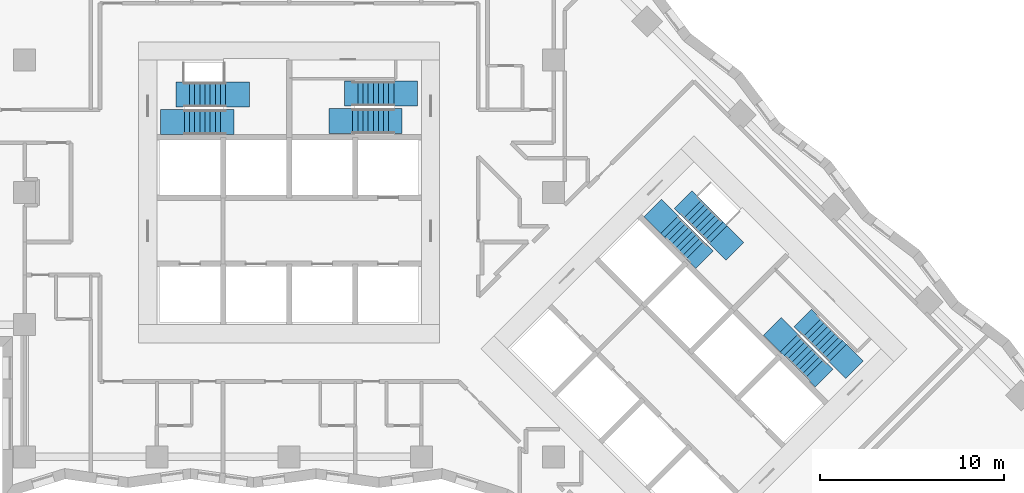
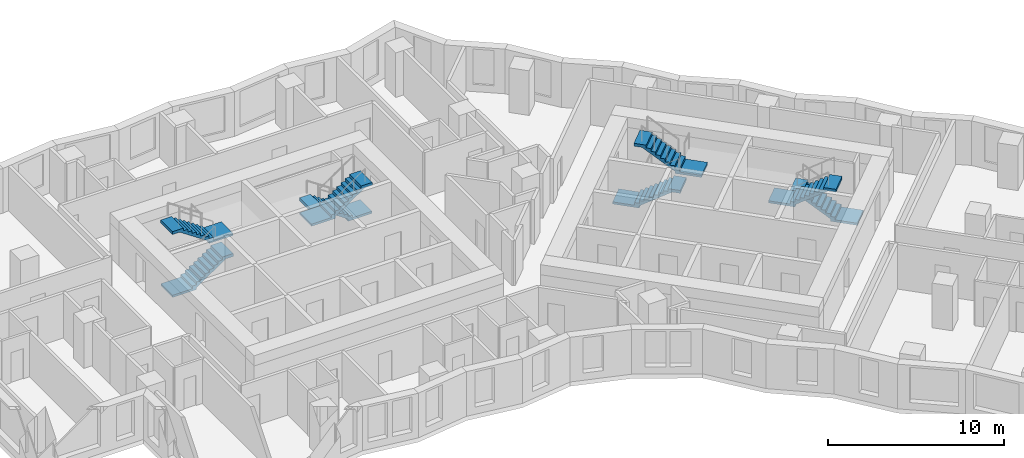
# One storey, part 10 of 12: 8 stair flights, 4 elements without a shape of their own.
"""IFC4 building model written with IfcOpenShell, lengths in metres."""

import ifcopenshell
import ifcopenshell.guid

model = None  # the IFC model being written
_history = None  # IfcOwnerHistory: only IFC2X3 demands one
_inside = {}  # id of a spatial element -> (the spatial element, [elements in it])
_under = {}  # id of a project, library or spatial element -> (it, [spatial elements below it])
_declared = {}  # id of a project -> (the project, [libraries it declares])
_typed = {}  # id of a type object -> (the type object, [elements of that type])
_made_of = {}  # id of a material, layer set ... -> (it, [elements and type objects made of it])


def new_model(schema):
    """Start an empty IFC model of exactly this schema.

    Asked for "IFC4X3", IfcOpenShell would pick the latest addendum, in which some entities
    have other attributes; the version numbers below select the first issue.
    IFC2X3 requires an IfcOwnerHistory on every rooted entity: one is made here for all.
    """
    global model, _history
    if schema == "IFC4X3":
        model = ifcopenshell.file(schema_version=(4, 3, 0, 0))
    else:
        model = ifcopenshell.file(schema=schema)
    _inside.clear()
    _under.clear()
    _declared.clear()
    _typed.clear()
    _made_of.clear()
    _history = None
    if model.schema == "IFC2X3":
        org = make("IfcOrganization", Name="unknown")
        user = make(
            "IfcPersonAndOrganization",
            ThePerson=make("IfcPerson", FamilyName="unknown"),
            TheOrganization=org,
        )
        app = make(
            "IfcApplication",
            ApplicationDeveloper=org,
            Version="unknown",
            ApplicationFullName="unknown",
            ApplicationIdentifier="unknown",
        )
        _history = make(
            "IfcOwnerHistory",
            OwningUser=user,
            OwningApplication=app,
            ChangeAction="ADDED",
            CreationDate=0,
        )
    return model


def make(cls, **values):
    """One entity of the class cls with the attributes given. An attribute that is None is left unset."""
    return model.create_entity(
        cls, **{name: value for name, value in values.items() if value is not None}
    )


def rooted(cls, **values):
    """An entity with a GlobalId (a new one), such as an element, a storey or a relation."""
    return make(cls, GlobalId=ifcopenshell.guid.new(), OwnerHistory=_history, **values)


def si_unit(unit_type, name, prefix=None):
    """IfcSIUnit, for example si_unit("LENGTHUNIT", "METRE", prefix="MILLI")."""
    return make("IfcSIUnit", UnitType=unit_type, Prefix=prefix, Name=name)


def assignment(units):
    """IfcUnitAssignment: the units of a project."""
    return None if units is None else make("IfcUnitAssignment", Units=units)


def point(xyz):
    """IfcCartesianPoint."""
    return None if xyz is None else make("IfcCartesianPoint", Coordinates=xyz)


def direction(xyz):
    """IfcDirection."""
    return None if xyz is None else make("IfcDirection", DirectionRatios=xyz)


def frame(location, z_axis=None, x_axis=None):
    """IfcAxis2Placement3D, a coordinate frame: its origin and axes. An axis left out is left unset."""
    return make(
        "IfcAxis2Placement3D",
        Location=point(location),
        Axis=direction(z_axis),
        RefDirection=direction(x_axis),
    )


def origin():
    """The frame at (0, 0, 0) with its axes left unset."""
    return frame((0.0, 0.0, 0.0))


def place(relative_to, where):
    """IfcLocalPlacement: puts the frame where relative to a parent placement (None: the world)."""
    return make(
        "IfcLocalPlacement", PlacementRelTo=relative_to, RelativePlacement=where
    )


def context(
    kind, dimensions, precision=None, world=None, true_north=None, identifier=None
):
    """IfcGeometricRepresentationContext, for example the 3D "Model" context."""
    return make(
        "IfcGeometricRepresentationContext",
        ContextIdentifier=identifier,
        ContextType=kind,
        CoordinateSpaceDimension=dimensions,
        Precision=precision,
        WorldCoordinateSystem=world,
        TrueNorth=true_north,
    )


def subcontext(parent, identifier, kind, view, scale=None):
    """IfcGeometricRepresentationSubContext, for example "Body" below "Model"."""
    return make(
        "IfcGeometricRepresentationSubContext",
        ContextIdentifier=identifier,
        ContextType=kind,
        ParentContext=parent,
        TargetScale=scale,
        TargetView=view,
    )


def project(units=None, contexts=None):
    """IfcProject with its units and contexts."""
    return rooted(
        "IfcProject",
        Name="project",
        RepresentationContexts=contexts,
        UnitsInContext=assignment(units),
    )


def spatial(cls, under=None, at=None, **own):
    """A site, building, storey or space (cls), placed at a placement, below another one or the project."""
    s = rooted(cls, ObjectPlacement=at, **own)
    if under is not None:
        _under.setdefault(under.id(), (under, []))[1].append(s)
    return s


def polyline(points):
    """IfcPolyline through the points."""
    return make("IfcPolyline", Points=[point(p) for p in points])


def outline(outer, holes=None, kind="AREA"):
    """IfcArbitraryClosedProfileDef: a profile drawn as a closed curve; with holes, ...WithVoids."""
    if holes is None:
        return make("IfcArbitraryClosedProfileDef", ProfileType=kind, OuterCurve=outer)
    return make(
        "IfcArbitraryProfileDefWithVoids",
        ProfileType=kind,
        OuterCurve=outer,
        InnerCurves=holes,
    )


def extrude(swept, where, along, depth):
    """IfcExtrudedAreaSolid: the profile swept, set in the frame where, extruded along a direction by depth."""
    return make(
        "IfcExtrudedAreaSolid",
        SweptArea=swept,
        Position=where,
        ExtrudedDirection=direction(along),
        Depth=depth,
    )


def shape(context_of_items, identifier, shape_type, items):
    """IfcShapeRepresentation: the items that make up one representation, for example the "Body"."""
    return make(
        "IfcShapeRepresentation",
        ContextOfItems=context_of_items,
        RepresentationIdentifier=identifier,
        RepresentationType=shape_type,
        Items=items,
    )


def material(Name=None, Category=None):
    """IfcMaterial."""
    return make("IfcMaterial", Name=Name, Category=Category)


def made_of(thing, what):
    """Note that an element or type object is made of a material, layer set ...; save() writes the relation."""
    if what is not None:
        _made_of.setdefault(what.id(), (what, []))[1].append(thing)
    return thing


def type_object(cls, material=None, **own):
    """A type object (cls), such as IfcWallType, which elements share."""
    return made_of(rooted(cls, **own), material)


def element(
    cls,
    number,
    at=None,
    inside=None,
    cuts=None,
    type_object=None,
    material=None,
    context=None,
    identifier="Body",
    shape_type=None,
    held_by="IfcProductDefinitionShape",
    body=None,
    shapes=None,
    **own,
):
    """One element of the class cls, such as IfcWall. Its Tag is "e" and its number.

    at: its placement. inside: the storey or other place that contains it. cuts: it is an
    opening in that element (IfcRelVoidsElement). A single representation is given by context,
    identifier, shape_type and body (its items); several are given by shapes. held_by: the class
    of the entity that holds the representations. save() writes the other relations.
    """
    e = rooted(cls, Tag="e%d" % number, ObjectPlacement=at, **own)
    if body is not None:
        shapes = [shape(context, identifier, shape_type, body)]
    if shapes is not None:
        e.Representation = make(held_by, Representations=shapes)
    if inside is not None:
        _inside.setdefault(inside.id(), (inside, []))[1].append(e)
    if cuts is not None:
        rooted(
            "IfcRelVoidsElement", RelatingBuildingElement=cuts, RelatedOpeningElement=e
        )
    if type_object is not None:
        _typed.setdefault(type_object.id(), (type_object, []))[1].append(e)
    return made_of(e, material)


def aggregate(whole, parts):
    """IfcRelAggregates: a whole, such as a stair, and the parts it consists of."""
    return rooted("IfcRelAggregates", RelatingObject=whole, RelatedObjects=parts)


def save(model, path):
    """Write the relations noted so far, then the file.

    IfcRelAggregates (storeys below a building ...), IfcRelContainedInSpatialStructure (elements
    in a storey), IfcRelDefinesByType, IfcRelAssociatesMaterial and IfcRelDeclares: one each for
    every whole, place, type object, material and project.
    """
    for whole, parts in _under.values():
        aggregate(whole, parts)
    for where, things in _inside.values():
        rooted(
            "IfcRelContainedInSpatialStructure",
            RelatedElements=things,
            RelatingStructure=where,
        )
    for kind, things in _typed.values():
        rooted("IfcRelDefinesByType", RelatedObjects=things, RelatingType=kind)
    for what, things in _made_of.values():
        rooted("IfcRelAssociatesMaterial", RelatedObjects=things, RelatingMaterial=what)
    for by, libraries in _declared.values():
        rooted("IfcRelDeclares", RelatingContext=by, RelatedDefinitions=libraries)
    model.write(path)


model = new_model("IFC4")

# Units and contexts
model_context = context("Model", 3, precision=1e-05, world=origin(), true_north=direction((0.0, 1.0)))
body_context = subcontext(model_context, "Body", "Model", "MODEL_VIEW")
ifc_project = project(units=[si_unit("LENGTHUNIT", "METRE"), si_unit("AREAUNIT", "SQUARE_METRE"), si_unit("VOLUMEUNIT", "CUBIC_METRE"), si_unit("PLANEANGLEUNIT", "RADIAN"), si_unit("MASSUNIT", "GRAM", prefix="KILO")], contexts=[model_context])

# Site, building, storey
site_placement = place(None, origin())
site = spatial("IfcSite", under=ifc_project, at=site_placement, CompositionType="ELEMENT")
building_placement = place(site_placement, origin())
building = spatial("IfcBuilding", under=site, at=building_placement, Name="Windrow Commons", CompositionType="ELEMENT")
storey_placement = place(building_placement, frame((0.0, 0.0, 47.4)))
storey = spatial("IfcBuildingStorey", under=building, at=storey_placement, Name="L12", CompositionType="ELEMENT", Elevation=47.4)

# Stair, stair flights
ifc_material_1 = material(Name="Concrete C40/50", Category="concrete")
stair_type = type_object("IfcStairType", Name="Core stair", PredefinedType="HALF_TURN_STAIR", material=ifc_material_1)
placement = place(storey_placement, origin())
stair_1 = element("IfcStair", 1, at=placement, inside=storey, type_object=stair_type, Name="L12 Exit stair A1 core A", PredefinedType="HALF_TURN_STAIR")
ifc_material_2 = material(Name="Concrete C40/50", Category="concrete")
stair_flight_type = type_object("IfcStairFlightType", Name="Core stair flight", PredefinedType="STRAIGHT", material=ifc_material_2)
stair_flight_1_placement = place(storey_placement, frame((59.1, 61.425, 0.0), z_axis=(0.0, 0.0, 1.0), x_axis=(1.0, 0.0, 0.0)))
stair_flight_1 = element("IfcStairFlight", 2, at=stair_flight_1_placement, type_object=stair_flight_type, Name="ST-A1 flight 1", NumberOfRisers=9, NumberOfTreads=8, PredefinedType="STRAIGHT", RiserHeight=0.188888889, TreadLength=0.28, context=body_context, shape_type="SweptSolid", body=[
    extrude(outline(polyline([(-1.3, -0.15), (-1.3, 0.0), (0.0, 0.0), (0.0, 0.1889), (0.28, 0.1889), (0.28, 0.3778), (0.56, 0.3778), (0.56, 0.5667), (0.84, 0.5667), (0.84, 0.7556), (1.12, 0.7556), (1.12, 0.9444), (1.4, 0.9444), (1.4, 1.1333), (1.68, 1.1333), (1.68, 1.3222), (1.96, 1.3222), (1.96, 1.5111), (2.24, 1.5111), (2.69, 1.5111), (2.69, 1.3111), (2.24, 1.3111), (2.24, 1.3302), (0.2682, 0.0), (0.2682, -0.15), (-1.3, -0.15)])), frame((0.0, 0.675, 0.0), z_axis=(0.0, -1.0, 0.0), x_axis=(1.0, 0.0, 0.0)), (0.0, 0.0, 1.0), 1.35),
])
stair_flight_2_placement = place(storey_placement, frame((61.34, 62.925, 1.7), z_axis=(0.0, 0.0, 1.0), x_axis=(-1.0, 0.0, 0.0)))
stair_flight_2 = element("IfcStairFlight", 3, at=stair_flight_2_placement, type_object=stair_flight_type, Name="ST-A1 flight 2", NumberOfRisers=9, NumberOfTreads=8, PredefinedType="STRAIGHT", RiserHeight=0.188888889, TreadLength=0.28, context=body_context, shape_type="SweptSolid", body=[
    extrude(outline(polyline([(-1.3, -0.15), (-1.3, 0.0), (0.0, 0.0), (0.0, 0.1889), (0.28, 0.1889), (0.28, 0.3778), (0.56, 0.3778), (0.56, 0.5667), (0.84, 0.5667), (0.84, 0.7556), (1.12, 0.7556), (1.12, 0.9444), (1.4, 0.9444), (1.4, 1.1333), (1.68, 1.1333), (1.68, 1.3222), (1.96, 1.3222), (1.96, 1.5111), (2.24, 1.5111), (2.69, 1.5111), (2.69, 1.3111), (2.24, 1.3111), (2.24, 1.3302), (0.2682, 0.0), (0.2682, -0.15), (-1.3, -0.15)])), frame((0.0, 0.675, 0.0), z_axis=(0.0, -1.0, 0.0), x_axis=(1.0, 0.0, 0.0)), (0.0, 0.0, 1.0), 1.35),
])
aggregate(stair_1, [stair_flight_1, stair_flight_2])

stair_2 = element("IfcStair", 4, at=placement, inside=storey, type_object=stair_type, Name="L12 Exit stair A2 core A", PredefinedType="HALF_TURN_STAIR")
stair_flight_3_placement = place(storey_placement, frame((70.5, 62.98, 0.0), z_axis=(0.0, 0.0, 1.0), x_axis=(-1.0, 0.0, 0.0)))
stair_flight_3 = element("IfcStairFlight", 5, at=stair_flight_3_placement, type_object=stair_flight_type, Name="ST-A2 flight 1", NumberOfRisers=9, NumberOfTreads=8, PredefinedType="STRAIGHT", RiserHeight=0.188888889, TreadLength=0.28, context=body_context, shape_type="SweptSolid", body=[
    extrude(outline(polyline([(-1.3, -0.15), (-1.3, 0.0), (0.0, 0.0), (0.0, 0.1889), (0.28, 0.1889), (0.28, 0.3778), (0.56, 0.3778), (0.56, 0.5667), (0.84, 0.5667), (0.84, 0.7556), (1.12, 0.7556), (1.12, 0.9444), (1.4, 0.9444), (1.4, 1.1333), (1.68, 1.1333), (1.68, 1.3222), (1.96, 1.3222), (1.96, 1.5111), (2.24, 1.5111), (2.69, 1.5111), (2.69, 1.3111), (2.24, 1.3111), (2.24, 1.3302), (0.2682, 0.0), (0.2682, -0.15), (-1.3, -0.15)])), frame((0.0, 0.675, 0.0), z_axis=(0.0, -1.0, 0.0), x_axis=(1.0, 0.0, 0.0)), (0.0, 0.0, 1.0), 1.35),
])
stair_flight_4_placement = place(storey_placement, frame((68.26, 61.48, 1.7), z_axis=(0.0, 0.0, 1.0), x_axis=(1.0, 0.0, 0.0)))
stair_flight_4 = element("IfcStairFlight", 6, at=stair_flight_4_placement, type_object=stair_flight_type, Name="ST-A2 flight 2", NumberOfRisers=9, NumberOfTreads=8, PredefinedType="STRAIGHT", RiserHeight=0.188888889, TreadLength=0.28, context=body_context, shape_type="SweptSolid", body=[
    extrude(outline(polyline([(-1.3, -0.15), (-1.3, 0.0), (0.0, 0.0), (0.0, 0.1889), (0.28, 0.1889), (0.28, 0.3778), (0.56, 0.3778), (0.56, 0.5667), (0.84, 0.5667), (0.84, 0.7556), (1.12, 0.7556), (1.12, 0.9444), (1.4, 0.9444), (1.4, 1.1333), (1.68, 1.1333), (1.68, 1.3222), (1.96, 1.3222), (1.96, 1.5111), (2.24, 1.5111), (2.69, 1.5111), (2.69, 1.3111), (2.24, 1.3111), (2.24, 1.3302), (0.2682, 0.0), (0.2682, -0.15), (-1.3, -0.15)])), frame((0.0, 0.675, 0.0), z_axis=(0.0, -1.0, 0.0), x_axis=(1.0, 0.0, 0.0)), (0.0, 0.0, 1.0), 1.35),
])
aggregate(stair_2, [stair_flight_3, stair_flight_4])

stair_3 = element("IfcStair", 7, at=placement, inside=storey, type_object=stair_type, Name="L12 Exit stair B1 core B", PredefinedType="HALF_TURN_STAIR")
stair_flight_5_placement = place(storey_placement, frame((85.5109, 55.8249, 0.0), z_axis=(0.0, 0.0, 1.0), x_axis=(0.7071067812, -0.7071067812, 0.0)))
stair_flight_5 = element("IfcStairFlight", 8, at=stair_flight_5_placement, type_object=stair_flight_type, Name="ST-B1 flight 1", NumberOfRisers=9, NumberOfTreads=8, PredefinedType="STRAIGHT", RiserHeight=0.188888889, TreadLength=0.28, context=body_context, shape_type="SweptSolid", body=[
    extrude(outline(polyline([(-1.3, -0.15), (-1.3, 0.0), (0.0, 0.0), (0.0, 0.1889), (0.28, 0.1889), (0.28, 0.3778), (0.56, 0.3778), (0.56, 0.5667), (0.84, 0.5667), (0.84, 0.7556), (1.12, 0.7556), (1.12, 0.9444), (1.4, 0.9444), (1.4, 1.1333), (1.68, 1.1333), (1.68, 1.3222), (1.96, 1.3222), (1.96, 1.5111), (2.24, 1.5111), (2.69, 1.5111), (2.69, 1.3111), (2.24, 1.3111), (2.24, 1.3302), (0.2682, 0.0), (0.2682, -0.15), (-1.3, -0.15)])), frame((0.0, 0.675, 0.0), z_axis=(0.0, -1.0, 0.0), x_axis=(1.0, 0.0, 0.0)), (0.0, 0.0, 1.0), 1.35),
])
stair_flight_6_placement = place(storey_placement, frame((88.1555, 55.3017, 1.7), z_axis=(0.0, 0.0, 1.0), x_axis=(-0.7071067812, 0.7071067812, 0.0)))
stair_flight_6 = element("IfcStairFlight", 9, at=stair_flight_6_placement, type_object=stair_flight_type, Name="ST-B1 flight 2", NumberOfRisers=9, NumberOfTreads=8, PredefinedType="STRAIGHT", RiserHeight=0.188888889, TreadLength=0.28, context=body_context, shape_type="SweptSolid", body=[
    extrude(outline(polyline([(-1.3, -0.15), (-1.3, 0.0), (0.0, 0.0), (0.0, 0.1889), (0.28, 0.1889), (0.28, 0.3778), (0.56, 0.3778), (0.56, 0.5667), (0.84, 0.5667), (0.84, 0.7556), (1.12, 0.7556), (1.12, 0.9444), (1.4, 0.9444), (1.4, 1.1333), (1.68, 1.1333), (1.68, 1.3222), (1.96, 1.3222), (1.96, 1.5111), (2.24, 1.5111), (2.69, 1.5111), (2.69, 1.3111), (2.24, 1.3111), (2.24, 1.3302), (0.2682, 0.0), (0.2682, -0.15), (-1.3, -0.15)])), frame((0.0, 0.675, 0.0), z_axis=(0.0, -1.0, 0.0), x_axis=(1.0, 0.0, 0.0)), (0.0, 0.0, 1.0), 1.35),
])
aggregate(stair_3, [stair_flight_5, stair_flight_6])

stair_4 = element("IfcStair", 10, at=placement, inside=storey, type_object=stair_type, Name="L12 Exit stair B2 core B", PredefinedType="HALF_TURN_STAIR")
stair_flight_7_placement = place(storey_placement, frame((94.6715, 48.8635, 0.0), z_axis=(0.0, 0.0, 1.0), x_axis=(-0.7071067812, 0.7071067812, 0.0)))
stair_flight_7 = element("IfcStairFlight", 11, at=stair_flight_7_placement, type_object=stair_flight_type, Name="ST-B2 flight 1", NumberOfRisers=9, NumberOfTreads=8, PredefinedType="STRAIGHT", RiserHeight=0.188888889, TreadLength=0.28, context=body_context, shape_type="SweptSolid", body=[
    extrude(outline(polyline([(-1.3, -0.15), (-1.3, 0.0), (0.0, 0.0), (0.0, 0.1889), (0.28, 0.1889), (0.28, 0.3778), (0.56, 0.3778), (0.56, 0.5667), (0.84, 0.5667), (0.84, 0.7556), (1.12, 0.7556), (1.12, 0.9444), (1.4, 0.9444), (1.4, 1.1333), (1.68, 1.1333), (1.68, 1.3222), (1.96, 1.3222), (1.96, 1.5111), (2.24, 1.5111), (2.69, 1.5111), (2.69, 1.3111), (2.24, 1.3111), (2.24, 1.3302), (0.2682, 0.0), (0.2682, -0.15), (-1.3, -0.15)])), frame((0.0, 0.675, 0.0), z_axis=(0.0, -1.0, 0.0), x_axis=(1.0, 0.0, 0.0)), (0.0, 0.0, 1.0), 1.35),
])
stair_flight_8_placement = place(storey_placement, frame((92.0269, 49.3867, 1.7), z_axis=(0.0, 0.0, 1.0), x_axis=(0.7071067812, -0.7071067812, 0.0)))
stair_flight_8 = element("IfcStairFlight", 12, at=stair_flight_8_placement, type_object=stair_flight_type, Name="ST-B2 flight 2", NumberOfRisers=9, NumberOfTreads=8, PredefinedType="STRAIGHT", RiserHeight=0.188888889, TreadLength=0.28, context=body_context, shape_type="SweptSolid", body=[
    extrude(outline(polyline([(-1.3, -0.15), (-1.3, 0.0), (0.0, 0.0), (0.0, 0.1889), (0.28, 0.1889), (0.28, 0.3778), (0.56, 0.3778), (0.56, 0.5667), (0.84, 0.5667), (0.84, 0.7556), (1.12, 0.7556), (1.12, 0.9444), (1.4, 0.9444), (1.4, 1.1333), (1.68, 1.1333), (1.68, 1.3222), (1.96, 1.3222), (1.96, 1.5111), (2.24, 1.5111), (2.69, 1.5111), (2.69, 1.3111), (2.24, 1.3111), (2.24, 1.3302), (0.2682, 0.0), (0.2682, -0.15), (-1.3, -0.15)])), frame((0.0, 0.675, 0.0), z_axis=(0.0, -1.0, 0.0), x_axis=(1.0, 0.0, 0.0)), (0.0, 0.0, 1.0), 1.35),
])
aggregate(stair_4, [stair_flight_7, stair_flight_8])

save(model, "model.ifc")
